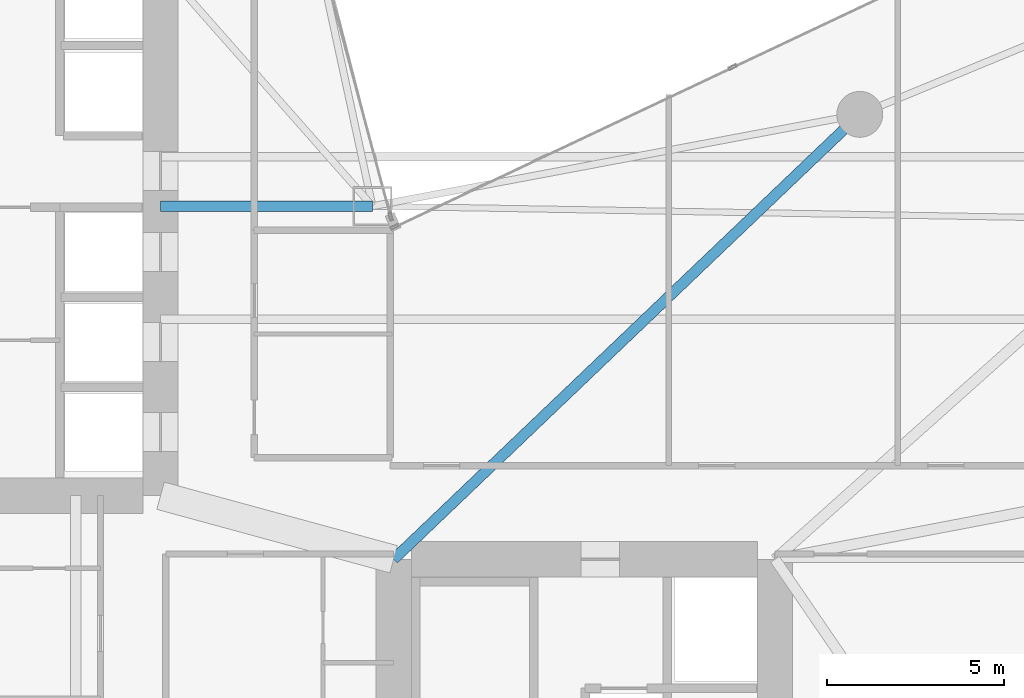
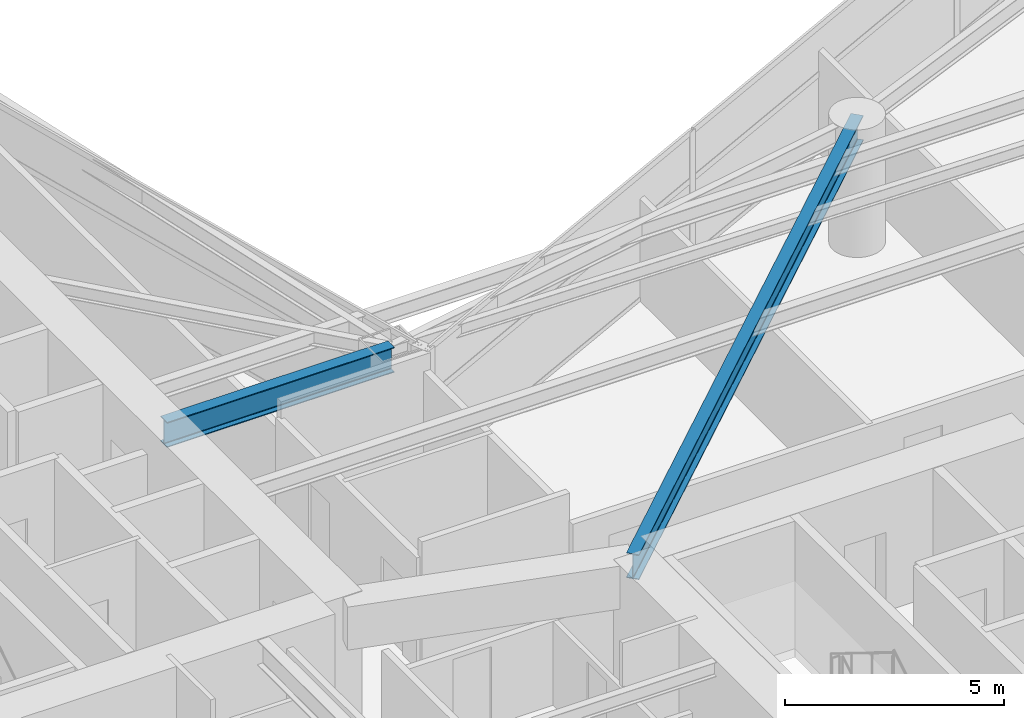
# One storey, part 9 of 29: 2 beams.
"""IFC4 building model written with IfcOpenShell, lengths in metres."""

from ifc_helpers import new_model, si_unit, direction, frame, origin, origin_2d, place, context, subcontext, project, spatial, i_section, extrude, material, material_profile, profile_set, type_object, element, save


model = new_model("IFC4")

# Units and contexts
model_context = context("Model", 3, precision=1e-05, world=origin(), true_north=direction((0.0, 1.0)))
body_context = subcontext(model_context, "Body", "Model", "MODEL_VIEW")
ifc_project = project(units=[si_unit("LENGTHUNIT", "METRE"), si_unit("AREAUNIT", "SQUARE_METRE"), si_unit("VOLUMEUNIT", "CUBIC_METRE"), si_unit("PLANEANGLEUNIT", "RADIAN"), si_unit("MASSUNIT", "GRAM", prefix="KILO")], contexts=[model_context])

# Site, building, storey
site_placement = place(None, origin())
site = spatial("IfcSite", under=ifc_project, at=site_placement, CompositionType="ELEMENT")
building_placement = place(site_placement, origin())
building = spatial("IfcBuilding", under=site, at=building_placement, Name="Calvorn Quay Hotel", CompositionType="ELEMENT")
storey_placement = place(building_placement, frame((0.0, 0.0, 85.0)))
storey = spatial("IfcBuildingStorey", under=building, at=storey_placement, Name="L20", CompositionType="ELEMENT", Elevation=85.0)

# Beams
ifc_material = material(Name="Steel Q390GJC", Category="steel")
ifc_material_profile = material_profile(ifc_material, i_section(OverallWidth=0.300048828125, OverallDepth=0.699951171875, WebThickness=0.012939453125, FlangeThickness=0.02392578125, FilletRadius=0.02392578125, at=origin_2d()), Name="HN700x300x13x24")
ifc_profile_set = profile_set([ifc_material_profile], Name="Steel Q390GJC")
beam_type = type_object("IfcBeamType", Name="BM-GIRD-MAIN", PredefinedType="BEAM", material=ifc_profile_set)
beam_1_placement = place(storey_placement, frame((21.0, 25.0, 3.18994140625), z_axis=(-1.0, 0.0, 0.0), x_axis=(0.0, -1.0, 0.0)))
element("IfcBeam", 1, at=beam_1_placement, inside=storey, type_object=beam_type, Name="Beam BG-L20-W7", PredefinedType="BEAM", context=body_context, shape_type="SweptSolid", body=[
    extrude(i_section(OverallWidth=0.300048828125, OverallDepth=0.699951171875, WebThickness=0.012939453125, FlangeThickness=0.02392578125, FilletRadius=0.02392578125, at=origin_2d()), origin(), (0.0, 0.0, 1.0), 6.0),
])
beam_2_placement = place(storey_placement, frame((21.60009765625, 15.0, 3.18994140625), z_axis=(0.723351595578, 0.690479883252, 0.0), x_axis=(-0.690479883252, 0.723351595578, 0.0)))
element("IfcBeam", 2, at=beam_2_placement, inside=storey, type_object=beam_type, Name="Beam BG-L20-E4", PredefinedType="BEAM", context=body_context, shape_type="SweptSolid", body=[
    extrude(i_section(OverallWidth=0.300048828125, OverallDepth=0.699951171875, WebThickness=0.012939453125, FlangeThickness=0.02392578125, FilletRadius=0.02392578125, at=origin_2d()), origin(), (0.0, 0.0, 1.0), 18.248291015625),
])

save(model, "model.ifc")
